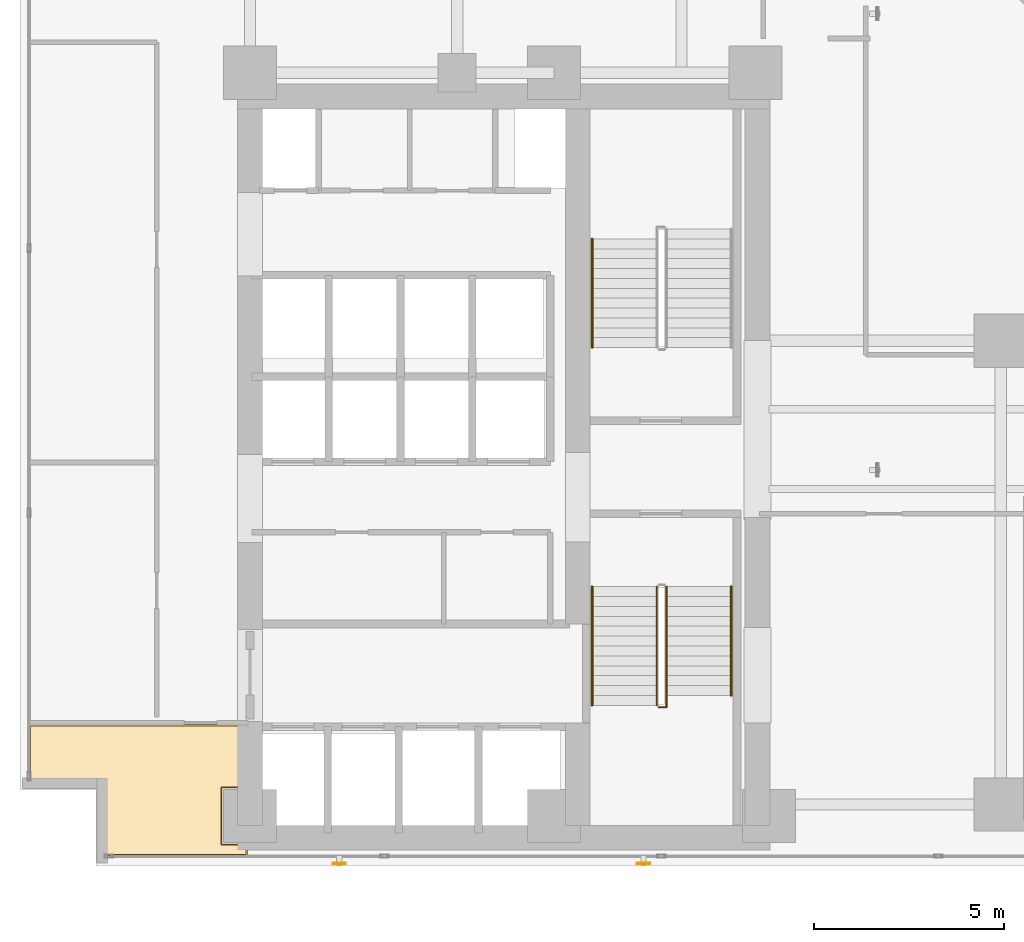
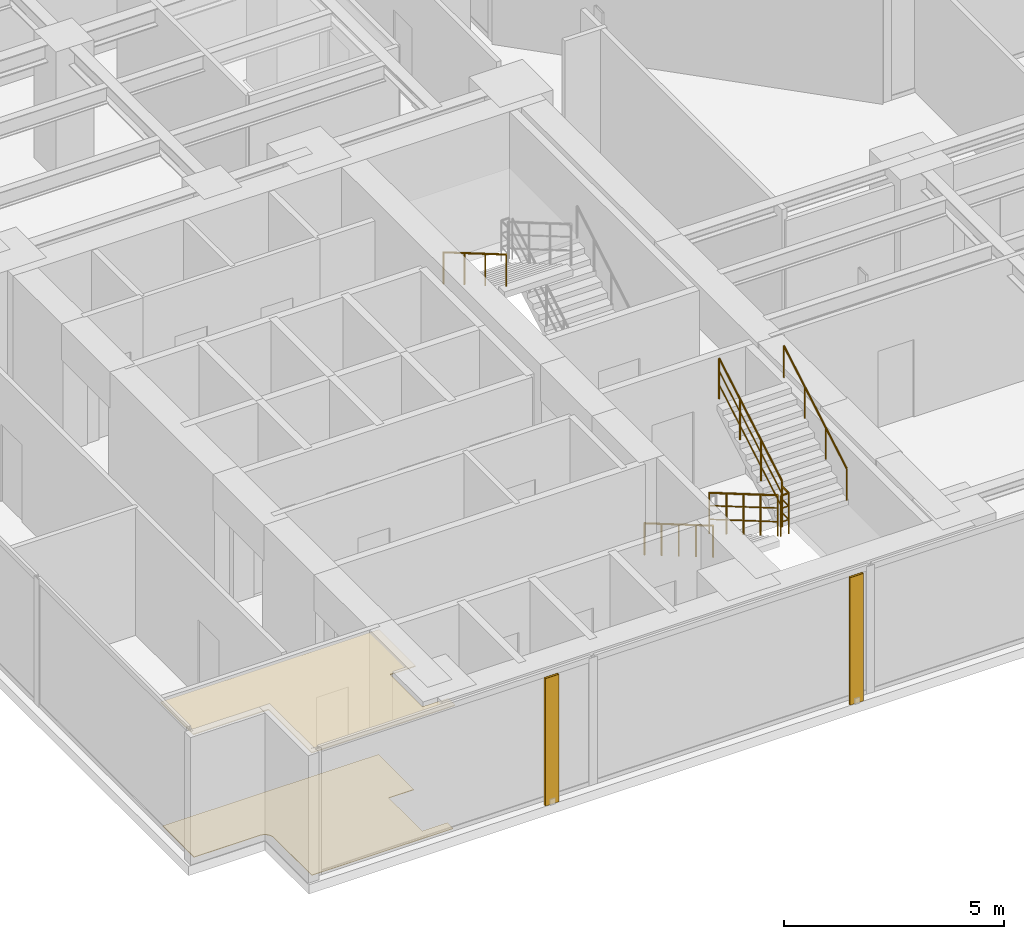
# One storey, part 25 of 29: 6 railings, 2 coverings, 2 shading devices.
"""IFC4 building model written with IfcOpenShell, lengths in metres."""

from ifc_helpers import new_model, si_unit, direction, frame, origin, origin_2d, place, context, subcontext, project, spatial, polyline, hollow_rectangle, circle, outline, extrude, material, layer, layer_set, material_profile, profile_set, type_object, element, save


model = new_model("IFC4")

# Units and contexts
model_context = context("Model", 3, precision=1e-05, world=origin(), true_north=direction((0.0, 1.0)))
body_context = subcontext(model_context, "Body", "Model", "MODEL_VIEW")
ifc_project = project(units=[si_unit("LENGTHUNIT", "METRE"), si_unit("AREAUNIT", "SQUARE_METRE"), si_unit("VOLUMEUNIT", "CUBIC_METRE"), si_unit("PLANEANGLEUNIT", "RADIAN"), si_unit("MASSUNIT", "GRAM", prefix="KILO")], contexts=[model_context])

# Site, building, storey
site_placement = place(None, origin())
site = spatial("IfcSite", under=ifc_project, at=site_placement, CompositionType="ELEMENT")
building_placement = place(site_placement, origin())
building = spatial("IfcBuilding", under=site, at=building_placement, Name="Kolvaren Waterfront Exchange", CompositionType="ELEMENT")
storey_placement = place(building_placement, frame((0.0, 0.0, 129.699951171875)))
storey = spatial("IfcBuildingStorey", under=building, at=storey_placement, Name="L33", CompositionType="ELEMENT", Elevation=129.699951171875)

# Covering
ifc_material_1 = material(Name="Mineral fibre acoustic ceiling tile")
ifc_layer_1 = layer(ifc_material_1, 0.02490234375, Name="Mineral fibre acoustic ceiling tile")
ifc_layer_set_1 = layer_set([ifc_layer_1], Name="Mineral fibre acoustic ceiling tile")
covering_type_1 = type_object("IfcCoveringType", Name="ARC-CEIL-ACOUSTIC-25", PredefinedType="CEILING", material=ifc_layer_set_1)
covering_1_placement = place(storey_placement, frame((0.0, 0.0, 3.425048828125)))
element("IfcCovering", 1, at=covering_1_placement, inside=storey, type_object=covering_type_1, Name="L33 acoustic suspended ceiling 3", PredefinedType="CEILING", context=body_context, shape_type="SweptSolid", body=[
    extrude(outline(polyline([(7.385009765625, 4.159912109375), (6.7099609375, 4.159912109375), (6.7099609375, 5.639892578125), (7.385009765625, 5.639892578125), (7.385009765625, 7.304931640625), (1.64501953125, 7.304931640625), (1.64501953125, 5.820068359375), (3.6201171875, 5.820068359375), (3.6201171875, 3.844970703125), (7.385009765625, 3.844970703125), (7.385009765625, 4.159912109375)])), origin(), (0.0, 0.0, 1.0), 0.02490234375),
])

# Shading devices
ifc_material_2 = material(Name="Anodised bronze aluminium 6063-T6", Category="aluminium")
ifc_material_profile = material_profile(ifc_material_2, hollow_rectangle(XDim=0.06005859375, YDim=0.35009765625, WallThickness=0.0048828125, at=origin_2d()), Name="BRZ-FIN-350x60x5")
ifc_profile_set = profile_set([ifc_material_profile], Name="Anodised bronze aluminium 6063-T6")
shading_device_type = type_object("IfcShadingDeviceType", Name="ARC-FIN-350", PredefinedType="USERDEFINED", material=ifc_profile_set)
for number, where, z_axis, x_axis, name in (
    (2, (9.800048828125, 3.639892578125, 0.0), (0.0, 0.0, 1.0), (0.0, -1.0, 0.0), "L33 anodised bronze solar shading fin FIN-L33-S1"),
    (3, (17.800048828125, 3.639892578125, 0.0), (0.0, 0.0, 1.0), (0.0, -1.0, 0.0), "L33 anodised bronze solar shading fin FIN-L33-S2"),
):
    element("IfcShadingDevice", number, at=place(storey_placement, frame(where, z_axis=z_axis, x_axis=x_axis)), inside=storey, type_object=shading_device_type, Name=name, ObjectType="SOLAR FIN", PredefinedType="USERDEFINED", context=body_context, shape_type="SweptSolid", body=[
        extrude(hollow_rectangle(XDim=0.06005859375, YDim=0.35009765625, WallThickness=0.0048828125, at=origin_2d()), origin(), (0.0, 0.0, 1.0), 3.5400390625),
    ])

# Covering
ifc_material_3 = material(Name="Slip-resistant porcelain tile")
ifc_layer_2 = layer(ifc_material_3, 0.014892578125, Name="Slip-resistant porcelain tile")
ifc_layer_set_2 = layer_set([ifc_layer_2], Name="Slip-resistant porcelain tile")
covering_type_2 = type_object("IfcCoveringType", Name="ARC-FLR-PORC-15", PredefinedType="FLOORING", material=ifc_layer_set_2)
covering_2_placement = place(storey_placement, origin())
element("IfcCovering", 4, at=covering_2_placement, inside=storey, type_object=covering_type_2, Name="L33 floor finish 3", PredefinedType="FLOORING", context=body_context, shape_type="SweptSolid", body=[
    extrude(outline(polyline([(7.35009765625, 7.27001953125), (1.679931640625, 7.27001953125), (1.679931640625, 5.840087890625), (3.39990234375, 5.840087890625), (3.423583984375, 5.8388671875), (3.44677734375, 5.83544921875), (3.4697265625, 5.82958984375), (3.49169921875, 5.82177734375), (3.51318359375, 5.811767578125), (3.533203125, 5.799560546875), (3.55224609375, 5.785400390625), (3.569580078125, 5.769775390625), (3.58544921875, 5.752197265625), (3.599609375, 5.7333984375), (3.61181640625, 5.713134765625), (3.62158203125, 5.69189453125), (3.629638671875, 5.669677734375), (3.635498046875, 5.646728515625), (3.638916015625, 5.62353515625), (3.639892578125, 5.60009765625), (3.639892578125, 3.8798828125), (7.35009765625, 3.8798828125), (7.35009765625, 4.139892578125), (6.68994140625, 4.139892578125), (6.68994140625, 5.659912109375), (7.35009765625, 5.659912109375), (7.35009765625, 7.27001953125)])), origin(), (0.0, 0.0, 1.0), 0.01513671875),
])

# Railings
ifc_material_4 = material(Name="Stainless steel 316", Category="steel")
railing_type_1 = type_object("IfcRailingType", Name="ARC-GUARD-STAIR", PredefinedType="GUARDRAIL", material=ifc_material_4)
railing_1_placement = place(storey_placement, frame((18.14990234375, 10.929931640625, 0.152099609375)))
element("IfcRailing", 5, at=railing_1_placement, inside=storey, type_object=railing_type_1, Name="L33 ST1 stair guard 1", PredefinedType="GUARDRAIL", context=body_context, shape_type="SweptSolid", body=[
    extrude(circle(Radius=0.02392578125, at=origin_2d()), frame((0.0, 0.0, 1.1259765625), z_axis=(0.0, -0.86329090724, 0.504706656858), x_axis=(1.0, 0.0, 0.0)), (0.0, 0.0, 1.0), 3.614013671875),
    extrude(circle(Radius=0.01611328125, at=origin_2d()), frame((0.0, 0.0, 0.390869140625), z_axis=(0.0, -0.86329090724, 0.504706656858), x_axis=(1.0, 0.0, 0.0)), (0.0, 0.0, 1.0), 3.614013671875),
    extrude(circle(Radius=0.01611328125, at=origin_2d()), frame((0.0, 0.0, 0.7705078125), z_axis=(0.0, -0.86329090724, 0.504706656858), x_axis=(1.0, 0.0, 0.0)), (0.0, 0.0, 1.0), 3.614013671875),
    extrude(circle(Radius=0.02099609375, at=origin_2d()), origin(), (0.0, 0.0, 1.0), 1.101806640625),
    extrude(circle(Radius=0.02099609375, at=origin_2d()), frame((0.0, -0.780029296875, 0.4560546875)), (0.0, 0.0, 1.0), 1.101806640625),
    extrude(circle(Radius=0.02099609375, at=origin_2d()), frame((0.0, -1.56005859375, 0.912109375)), (0.0, 0.0, 1.0), 1.101806640625),
    extrude(circle(Radius=0.02099609375, at=origin_2d()), frame((0.0, -2.33984375, 1.367919921875)), (0.0, 0.0, 1.0), 1.101806640625),
    extrude(circle(Radius=0.02099609375, at=origin_2d()), frame((0.0, -3.119873046875, 1.823974609375)), (0.0, 0.0, 1.0), 1.101806640625),
])
railing_2_placement = place(storey_placement, frame((18.199951171875, 7.760009765625, 1.97607421875)))
element("IfcRailing", 6, at=railing_2_placement, inside=storey, type_object=railing_type_1, Name="L33 ST1 stair guard 2", PredefinedType="GUARDRAIL", context=body_context, shape_type="SweptSolid", body=[
    extrude(circle(Radius=0.02392578125, at=origin_2d()), frame((0.0, 0.0, 1.1259765625), z_axis=(1.0, 0.0, 0.0), x_axis=(0.0, 1.0, 0.0)), (0.0, 0.0, 1.0), 0.2099609375),
    extrude(circle(Radius=0.01611328125, at=origin_2d()), frame((0.0, 0.0, 0.390869140625), z_axis=(1.0, 0.0, 0.0), x_axis=(0.0, 1.0, 0.0)), (0.0, 0.0, 1.0), 0.2099609375),
    extrude(circle(Radius=0.01611328125, at=origin_2d()), frame((0.0, 0.0, 0.7705078125), z_axis=(1.0, 0.0, 0.0), x_axis=(0.0, 1.0, 0.0)), (0.0, 0.0, 1.0), 0.2099609375),
    extrude(circle(Radius=0.02392578125, at=origin_2d()), frame((0.2099609375, 0.0, 1.1259765625), z_axis=(0.0, 1.0, 0.0), x_axis=(-1.0, 0.0, 0.0)), (0.0, 0.0, 1.0), 0.31005859375),
    extrude(circle(Radius=0.01611328125, at=origin_2d()), frame((0.2099609375, 0.0, 0.390869140625), z_axis=(0.0, 1.0, 0.0), x_axis=(-1.0, 0.0, 0.0)), (0.0, 0.0, 1.0), 0.31005859375),
    extrude(circle(Radius=0.01611328125, at=origin_2d()), frame((0.2099609375, 0.0, 0.7705078125), z_axis=(0.0, 1.0, 0.0), x_axis=(-1.0, 0.0, 0.0)), (0.0, 0.0, 1.0), 0.31005859375),
    extrude(circle(Radius=0.02099609375, at=origin_2d()), origin(), (0.0, 0.0, 1.0), 1.101806640625),
    extrude(circle(Radius=0.02099609375, at=origin_2d()), frame((0.2099609375, 0.0, 0.0)), (0.0, 0.0, 1.0), 1.101806640625),
    extrude(circle(Radius=0.02099609375, at=origin_2d()), frame((0.2099609375, 0.31005859375, 0.0)), (0.0, 0.0, 1.0), 1.101806640625),
])
railing_3_placement = place(storey_placement, frame((18.409912109375, 8.070068359375, 2.1279296875)))
element("IfcRailing", 7, at=railing_3_placement, inside=storey, type_object=railing_type_1, Name="L33 ST1 stair guard 3", PredefinedType="GUARDRAIL", context=body_context, shape_type="SweptSolid", body=[
    extrude(circle(Radius=0.02392578125, at=origin_2d()), frame((0.0, 0.0, 1.1259765625), z_axis=(0.0, 0.863270611444, 0.50474137082), x_axis=(-1.0, 0.0, 0.0)), (0.0, 0.0, 1.0), 3.312744140625),
    extrude(circle(Radius=0.01611328125, at=origin_2d()), frame((0.0, 0.0, 0.390869140625), z_axis=(0.0, 0.863270611444, 0.50474137082), x_axis=(-1.0, 0.0, 0.0)), (0.0, 0.0, 1.0), 3.312744140625),
    extrude(circle(Radius=0.01611328125, at=origin_2d()), frame((0.0, 0.0, 0.7705078125), z_axis=(0.0, 0.863270611444, 0.50474137082), x_axis=(-1.0, 0.0, 0.0)), (0.0, 0.0, 1.0), 3.312744140625),
    extrude(circle(Radius=0.02099609375, at=origin_2d()), origin(), (0.0, 0.0, 1.0), 1.101806640625),
    extrude(circle(Radius=0.02099609375, at=origin_2d()), frame((0.0, 0.953369140625, 0.557373046875)), (0.0, 0.0, 1.0), 1.101806640625),
    extrude(circle(Radius=0.02099609375, at=origin_2d()), frame((0.0, 1.906494140625, 1.11474609375)), (0.0, 0.0, 1.0), 1.101806640625),
    extrude(circle(Radius=0.02099609375, at=origin_2d()), frame((0.0, 2.85986328125, 1.672119140625)), (0.0, 0.0, 1.0), 1.101806640625),
])
railing_type_2 = type_object("IfcRailingType", Name="ARC-HANDRAIL-900", PredefinedType="HANDRAIL", material=ifc_material_4)
railing_4_placement = place(storey_placement, frame((16.449951171875, 10.929931640625, 0.152099609375)))
element("IfcRailing", 8, at=railing_4_placement, inside=storey, type_object=railing_type_2, Name="L33 ST1 stair handrail 1", PredefinedType="HANDRAIL", context=body_context, shape_type="SweptSolid", body=[
    extrude(circle(Radius=0.02392578125, at=origin_2d()), frame((0.0, 0.0, 0.8759765625), z_axis=(0.0, -0.86329090724, 0.504706656858), x_axis=(1.0, 0.0, 0.0)), (0.0, 0.0, 1.0), 3.614013671875),
    extrude(circle(Radius=0.02099609375, at=origin_2d()), origin(), (0.0, 0.0, 1.0), 0.851806640625),
    extrude(circle(Radius=0.02099609375, at=origin_2d()), frame((0.0, -0.780029296875, 0.4560546875)), (0.0, 0.0, 1.0), 0.851806640625),
    extrude(circle(Radius=0.02099609375, at=origin_2d()), frame((0.0, -1.56005859375, 0.912109375)), (0.0, 0.0, 1.0), 0.851806640625),
    extrude(circle(Radius=0.02099609375, at=origin_2d()), frame((0.0, -2.33984375, 1.367919921875)), (0.0, 0.0, 1.0), 0.851806640625),
    extrude(circle(Radius=0.02099609375, at=origin_2d()), frame((0.0, -3.119873046875, 1.823974609375)), (0.0, 0.0, 1.0), 0.851806640625),
])
railing_5_placement = place(storey_placement, frame((20.110107421875, 8.070068359375, 2.1279296875)))
element("IfcRailing", 9, at=railing_5_placement, inside=storey, type_object=railing_type_2, Name="L33 ST1 stair handrail 2", PredefinedType="HANDRAIL", context=body_context, shape_type="SweptSolid", body=[
    extrude(circle(Radius=0.02392578125, at=origin_2d()), frame((0.0, 0.0, 0.8759765625), z_axis=(0.0, 0.863270611444, 0.50474137082), x_axis=(-1.0, 0.0, 0.0)), (0.0, 0.0, 1.0), 3.312744140625),
    extrude(circle(Radius=0.02099609375, at=origin_2d()), origin(), (0.0, 0.0, 1.0), 0.851806640625),
    extrude(circle(Radius=0.02099609375, at=origin_2d()), frame((0.0, 0.953369140625, 0.557373046875)), (0.0, 0.0, 1.0), 0.851806640625),
    extrude(circle(Radius=0.02099609375, at=origin_2d()), frame((0.0, 1.906494140625, 1.11474609375)), (0.0, 0.0, 1.0), 0.851806640625),
    extrude(circle(Radius=0.02099609375, at=origin_2d()), frame((0.0, 2.85986328125, 1.672119140625)), (0.0, 0.0, 1.0), 0.851806640625),
])
railing_6_placement = place(storey_placement, frame((16.449951171875, 20.080078125, 2.1279296875)))
element("IfcRailing", 10, at=railing_6_placement, inside=storey, type_object=railing_type_2, Name="L33 ST2 stair handrail 2", PredefinedType="HANDRAIL", context=body_context, shape_type="SweptSolid", body=[
    extrude(circle(Radius=0.02392578125, at=origin_2d()), frame((0.0, 0.0, 0.8759765625), z_axis=(0.0, -0.863289384635, 0.504709261235), x_axis=(1.0, 0.0, 0.0)), (0.0, 0.0, 1.0), 3.31298828125),
    extrude(circle(Radius=0.02099609375, at=origin_2d()), origin(), (0.0, 0.0, 1.0), 0.851806640625),
    extrude(circle(Radius=0.02099609375, at=origin_2d()), frame((0.0, -0.953369140625, 0.557373046875)), (0.0, 0.0, 1.0), 0.851806640625),
    extrude(circle(Radius=0.02099609375, at=origin_2d()), frame((0.0, -1.90673828125, 1.11474609375)), (0.0, 0.0, 1.0), 0.851806640625),
    extrude(circle(Radius=0.02099609375, at=origin_2d()), frame((0.0, -2.860107421875, 1.672119140625)), (0.0, 0.0, 1.0), 0.851806640625),
])

save(model, "model.ifc")
